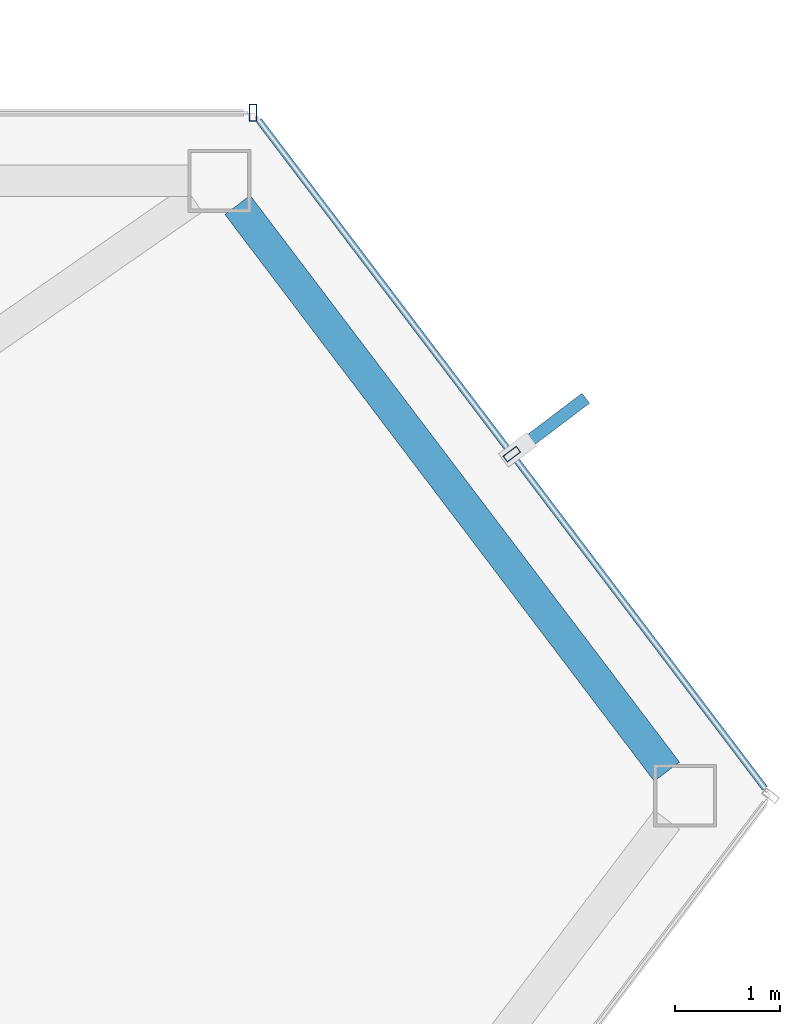
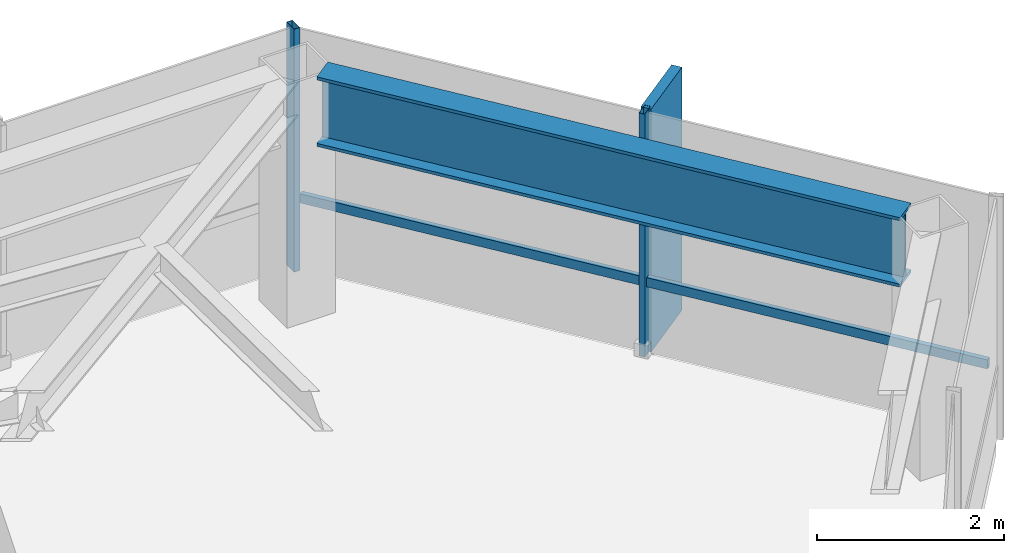
# One storey, part 22 of 27: 4 members, 1 beam, 2 elements without a shape of their own.
"""IFC4 building model written with IfcOpenShell, lengths in metres."""

import ifcopenshell
import ifcopenshell.guid

model = None  # the IFC model being written
_history = None  # IfcOwnerHistory: only IFC2X3 demands one
_inside = {}  # id of a spatial element -> (the spatial element, [elements in it])
_under = {}  # id of a project, library or spatial element -> (it, [spatial elements below it])
_declared = {}  # id of a project -> (the project, [libraries it declares])
_typed = {}  # id of a type object -> (the type object, [elements of that type])
_made_of = {}  # id of a material, layer set ... -> (it, [elements and type objects made of it])


def new_model(schema):
    """Start an empty IFC model of exactly this schema.

    Asked for "IFC4X3", IfcOpenShell would pick the latest addendum, in which some entities
    have other attributes; the version numbers below select the first issue.
    IFC2X3 requires an IfcOwnerHistory on every rooted entity: one is made here for all.
    """
    global model, _history
    if schema == "IFC4X3":
        model = ifcopenshell.file(schema_version=(4, 3, 0, 0))
    else:
        model = ifcopenshell.file(schema=schema)
    _inside.clear()
    _under.clear()
    _declared.clear()
    _typed.clear()
    _made_of.clear()
    _history = None
    if model.schema == "IFC2X3":
        org = make("IfcOrganization", Name="unknown")
        user = make(
            "IfcPersonAndOrganization",
            ThePerson=make("IfcPerson", FamilyName="unknown"),
            TheOrganization=org,
        )
        app = make(
            "IfcApplication",
            ApplicationDeveloper=org,
            Version="unknown",
            ApplicationFullName="unknown",
            ApplicationIdentifier="unknown",
        )
        _history = make(
            "IfcOwnerHistory",
            OwningUser=user,
            OwningApplication=app,
            ChangeAction="ADDED",
            CreationDate=0,
        )
    return model


def make(cls, **values):
    """One entity of the class cls with the attributes given. An attribute that is None is left unset."""
    return model.create_entity(
        cls, **{name: value for name, value in values.items() if value is not None}
    )


def rooted(cls, **values):
    """An entity with a GlobalId (a new one), such as an element, a storey or a relation."""
    return make(cls, GlobalId=ifcopenshell.guid.new(), OwnerHistory=_history, **values)


def si_unit(unit_type, name, prefix=None):
    """IfcSIUnit, for example si_unit("LENGTHUNIT", "METRE", prefix="MILLI")."""
    return make("IfcSIUnit", UnitType=unit_type, Prefix=prefix, Name=name)


def assignment(units):
    """IfcUnitAssignment: the units of a project."""
    return None if units is None else make("IfcUnitAssignment", Units=units)


def point(xyz):
    """IfcCartesianPoint."""
    return None if xyz is None else make("IfcCartesianPoint", Coordinates=xyz)


def direction(xyz):
    """IfcDirection."""
    return None if xyz is None else make("IfcDirection", DirectionRatios=xyz)


def frame(location, z_axis=None, x_axis=None):
    """IfcAxis2Placement3D, a coordinate frame: its origin and axes. An axis left out is left unset."""
    return make(
        "IfcAxis2Placement3D",
        Location=point(location),
        Axis=direction(z_axis),
        RefDirection=direction(x_axis),
    )


def frame_2d(location, x_axis=None):
    """IfcAxis2Placement2D, a coordinate frame in the plane: its origin and x axis."""
    return make(
        "IfcAxis2Placement2D", Location=point(location), RefDirection=direction(x_axis)
    )


def origin():
    """The frame at (0, 0, 0) with its axes left unset."""
    return frame((0.0, 0.0, 0.0))


def origin_2d():
    """The frame at (0, 0) in the plane with its x axis left unset."""
    return frame_2d((0.0, 0.0))


def place(relative_to, where):
    """IfcLocalPlacement: puts the frame where relative to a parent placement (None: the world)."""
    return make(
        "IfcLocalPlacement", PlacementRelTo=relative_to, RelativePlacement=where
    )


def context(
    kind, dimensions, precision=None, world=None, true_north=None, identifier=None
):
    """IfcGeometricRepresentationContext, for example the 3D "Model" context."""
    return make(
        "IfcGeometricRepresentationContext",
        ContextIdentifier=identifier,
        ContextType=kind,
        CoordinateSpaceDimension=dimensions,
        Precision=precision,
        WorldCoordinateSystem=world,
        TrueNorth=true_north,
    )


def subcontext(parent, identifier, kind, view, scale=None):
    """IfcGeometricRepresentationSubContext, for example "Body" below "Model"."""
    return make(
        "IfcGeometricRepresentationSubContext",
        ContextIdentifier=identifier,
        ContextType=kind,
        ParentContext=parent,
        TargetScale=scale,
        TargetView=view,
    )


def project(units=None, contexts=None):
    """IfcProject with its units and contexts."""
    return rooted(
        "IfcProject",
        Name="project",
        RepresentationContexts=contexts,
        UnitsInContext=assignment(units),
    )


def spatial(cls, under=None, at=None, **own):
    """A site, building, storey or space (cls), placed at a placement, below another one or the project."""
    s = rooted(cls, ObjectPlacement=at, **own)
    if under is not None:
        _under.setdefault(under.id(), (under, []))[1].append(s)
    return s


def profile(cls, at=None, kind="AREA", **sizes):
    """A parametric profile (cls). Its sizes go by their IFC names, for example OverallWidth=200.0."""
    return make(cls, ProfileType=kind, Position=at, **sizes)


def rectangle(**sizes):
    """IfcRectangleProfileDef."""
    return profile("IfcRectangleProfileDef", **sizes)


def hollow_rectangle(**sizes):
    """IfcRectangleHollowProfileDef."""
    return profile("IfcRectangleHollowProfileDef", **sizes)


def i_section(**sizes):
    """IfcIShapeProfileDef."""
    return profile("IfcIShapeProfileDef", **sizes)


def extrude(swept, where, along, depth):
    """IfcExtrudedAreaSolid: the profile swept, set in the frame where, extruded along a direction by depth."""
    return make(
        "IfcExtrudedAreaSolid",
        SweptArea=swept,
        Position=where,
        ExtrudedDirection=direction(along),
        Depth=depth,
    )


def shape(context_of_items, identifier, shape_type, items):
    """IfcShapeRepresentation: the items that make up one representation, for example the "Body"."""
    return make(
        "IfcShapeRepresentation",
        ContextOfItems=context_of_items,
        RepresentationIdentifier=identifier,
        RepresentationType=shape_type,
        Items=items,
    )


def material(Name=None, Category=None):
    """IfcMaterial."""
    return make("IfcMaterial", Name=Name, Category=Category)


def layer(
    of_material, thickness, ventilated=None, Name=None, Category=None, Priority=None
):
    """IfcMaterialLayer: one layer of a wall or slab, of a material (None: an air gap)."""
    return make(
        "IfcMaterialLayer",
        Material=of_material,
        LayerThickness=thickness,
        IsVentilated=ventilated,
        Name=Name,
        Category=Category,
        Priority=Priority,
    )


def layer_set(layers, Name=None):
    """IfcMaterialLayerSet."""
    return make("IfcMaterialLayerSet", MaterialLayers=layers, LayerSetName=Name)


def material_profile(
    of_material, cross_section, Name=None, Category=None, Priority=None
):
    """IfcMaterialProfile: a cross section and its material."""
    return make(
        "IfcMaterialProfile",
        Name=Name,
        Material=of_material,
        Profile=cross_section,
        Priority=Priority,
        Category=Category,
    )


def profile_set(profiles, Name=None, composite=None):
    """IfcMaterialProfileSet."""
    return make(
        "IfcMaterialProfileSet",
        Name=Name,
        MaterialProfiles=profiles,
        CompositeProfile=composite,
    )


def made_of(thing, what):
    """Note that an element or type object is made of a material, layer set ...; save() writes the relation."""
    if what is not None:
        _made_of.setdefault(what.id(), (what, []))[1].append(thing)
    return thing


def type_object(cls, material=None, **own):
    """A type object (cls), such as IfcWallType, which elements share."""
    return made_of(rooted(cls, **own), material)


def element(
    cls,
    number,
    at=None,
    inside=None,
    cuts=None,
    type_object=None,
    material=None,
    context=None,
    identifier="Body",
    shape_type=None,
    held_by="IfcProductDefinitionShape",
    body=None,
    shapes=None,
    **own,
):
    """One element of the class cls, such as IfcWall. Its Tag is "e" and its number.

    at: its placement. inside: the storey or other place that contains it. cuts: it is an
    opening in that element (IfcRelVoidsElement). A single representation is given by context,
    identifier, shape_type and body (its items); several are given by shapes. held_by: the class
    of the entity that holds the representations. save() writes the other relations.
    """
    e = rooted(cls, Tag="e%d" % number, ObjectPlacement=at, **own)
    if body is not None:
        shapes = [shape(context, identifier, shape_type, body)]
    if shapes is not None:
        e.Representation = make(held_by, Representations=shapes)
    if inside is not None:
        _inside.setdefault(inside.id(), (inside, []))[1].append(e)
    if cuts is not None:
        rooted(
            "IfcRelVoidsElement", RelatingBuildingElement=cuts, RelatedOpeningElement=e
        )
    if type_object is not None:
        _typed.setdefault(type_object.id(), (type_object, []))[1].append(e)
    return made_of(e, material)


def aggregate(whole, parts):
    """IfcRelAggregates: a whole, such as a stair, and the parts it consists of."""
    return rooted("IfcRelAggregates", RelatingObject=whole, RelatedObjects=parts)


def save(model, path):
    """Write the relations noted so far, then the file.

    IfcRelAggregates (storeys below a building ...), IfcRelContainedInSpatialStructure (elements
    in a storey), IfcRelDefinesByType, IfcRelAssociatesMaterial and IfcRelDeclares: one each for
    every whole, place, type object, material and project.
    """
    for whole, parts in _under.values():
        aggregate(whole, parts)
    for where, things in _inside.values():
        rooted(
            "IfcRelContainedInSpatialStructure",
            RelatedElements=things,
            RelatingStructure=where,
        )
    for kind, things in _typed.values():
        rooted("IfcRelDefinesByType", RelatedObjects=things, RelatingType=kind)
    for what, things in _made_of.values():
        rooted("IfcRelAssociatesMaterial", RelatedObjects=things, RelatingMaterial=what)
    for by, libraries in _declared.values():
        rooted("IfcRelDeclares", RelatingContext=by, RelatedDefinitions=libraries)
    model.write(path)


model = new_model("IFC4")

# Units and contexts
model_context = context("Model", 3, precision=1e-05, world=origin(), true_north=direction((0.0, 1.0)))
body_context = subcontext(model_context, "Body", "Model", "MODEL_VIEW")
ifc_project = project(units=[si_unit("LENGTHUNIT", "METRE"), si_unit("AREAUNIT", "SQUARE_METRE"), si_unit("VOLUMEUNIT", "CUBIC_METRE"), si_unit("PLANEANGLEUNIT", "RADIAN"), si_unit("MASSUNIT", "GRAM", prefix="KILO")], contexts=[model_context])

# Site, building, storey
site_placement = place(None, origin())
site = spatial("IfcSite", under=ifc_project, at=site_placement, CompositionType="ELEMENT")
building_placement = place(site_placement, origin())
building = spatial("IfcBuilding", under=site, at=building_placement, Name="Zarrinselat Tower", CompositionType="ELEMENT")
storey_placement = place(building_placement, frame((0.0, 0.0, 232.56005859375)))
storey = spatial("IfcBuildingStorey", under=building, at=storey_placement, Name="L58", CompositionType="ELEMENT", Elevation=232.56005859375)

# Beam
ifc_material_1 = material(Name="Steel S460M", Category="steel")
ifc_material_profile_1 = material_profile(ifc_material_1, i_section(OverallWidth=0.302001953125, OverallDepth=0.909912109375, WebThickness=0.02099609375, FlangeThickness=0.0400390625, at=origin_2d()), Name="HEM 900")
ifc_profile_set_1 = profile_set([ifc_material_profile_1], Name="Steel S460M")
beam_type = type_object("IfcBeamType", Name="BM-HEM900", PredefinedType="BEAM", material=ifc_profile_set_1)
beam_placement = place(storey_placement, frame((56.76611328125, 47.298095703125, 2.724853515625), z_axis=(0.60386808103, -0.797084274537, 0.0), x_axis=(0.797084274537, 0.60386808103, 0.0)))
element("IfcBeam", 1, at=beam_placement, inside=storey, type_object=beam_type, Name="L58 Perimeter Spandrel Girder SP15", PredefinedType="BEAM", context=body_context, shape_type="SweptSolid", body=[
    extrude(i_section(OverallWidth=0.302001953125, OverallDepth=0.909912109375, WebThickness=0.02099609375, FlangeThickness=0.0400390625, at=origin_2d()), origin(), (0.0, 0.0, 1.0), 6.7841796875),
])

# Curtain wall, member
ifc_material_2 = material(Name="Extruded Aluminium Alloy EN AW-6063 T6", Category="aluminium")
ifc_layer = layer(ifc_material_2, 0.169921875)
ifc_layer_set = layer_set([ifc_layer], Name="Extruded Aluminium Alloy EN AW-6063 T6")
curtain_wall_type = type_object("IfcCurtainWallType", Name="CWS-RES", PredefinedType="NOTDEFINED", material=ifc_layer_set)
curtain_wall_1_placement = place(storey_placement, origin())
curtain_wall_1 = element("IfcCurtainWall", 2, at=curtain_wall_1_placement, inside=storey, type_object=curtain_wall_type, Name="L58 Unitised Curtain Wall CW-L58-E01", PredefinedType="NOTDEFINED")
ifc_material_3 = material(Name="Extruded Aluminium Alloy EN AW-6063 T6", Category="aluminium")
ifc_material_profile_2 = material_profile(ifc_material_3, hollow_rectangle(XDim=0.070068359375, YDim=0.159912109375, WallThickness=0.00390625, at=origin_2d()), Name="RHS 160x70x4")
ifc_profile_set_2 = profile_set([ifc_material_profile_2], Name="Extruded Aluminium Alloy EN AW-6063 T6")
member_type_1 = type_object("IfcMemberType", Name="MEM-CW-MUL2", PredefinedType="MULLION", material=ifc_profile_set_2)
member_1_placement = place(storey_placement, frame((56.915283203125, 48.177734375, 0.0), z_axis=(0.0, 0.0, 1.0), x_axis=(-1.0, 0.0, 0.0)))
member_1 = element("IfcMember", 3, at=member_1_placement, type_object=member_type_1, Name="CW-L58-E01 Mullion 0", PredefinedType="MULLION", context=body_context, shape_type="SweptSolid", body=[
    extrude(hollow_rectangle(XDim=0.070068359375, YDim=0.159912109375, WallThickness=0.00390625, at=origin_2d()), origin(), (0.0, 0.0, 1.0), 3.179931640625),
])
aggregate(curtain_wall_1, [member_1])

# Curtain wall, members
curtain_wall_2_placement = place(storey_placement, origin())
curtain_wall_2 = element("IfcCurtainWall", 4, at=curtain_wall_2_placement, inside=storey, type_object=curtain_wall_type, Name="L58 Unitised Curtain Wall CW-L58-E06", PredefinedType="NOTDEFINED")
member_2_placement = place(storey_placement, frame((59.3837890625, 44.91943359375, 0.0), z_axis=(0.0, 0.0, 1.0), x_axis=(-0.603858158982, 0.797091791346, 0.0)))
member_2 = element("IfcMember", 5, at=member_2_placement, type_object=member_type_1, Name="CW-L58-E06 Mullion 1", PredefinedType="MULLION", context=body_context, shape_type="SweptSolid", body=[
    extrude(hollow_rectangle(XDim=0.070068359375, YDim=0.159912109375, WallThickness=0.00390625, at=origin_2d()), origin(), (0.0, 0.0, 1.0), 3.179931640625),
])
ifc_material_4 = material(Name="Extruded Aluminium Alloy EN AW-6063 T6", Category="aluminium")
ifc_material_profile_3 = material_profile(ifc_material_4, hollow_rectangle(XDim=0.06005859375, YDim=0.1201171875, WallThickness=0.00390625, at=origin_2d()), Name="RHS 120x60x4")
ifc_profile_set_3 = profile_set([ifc_material_profile_3], Name="Extruded Aluminium Alloy EN AW-6063 T6")
member_type_2 = type_object("IfcMemberType", Name="MEM-CW-TRN2", PredefinedType="USERDEFINED", material=ifc_profile_set_3)
member_3_placement = place(storey_placement, frame((61.7978515625, 41.73291015625, 0.949951171875), z_axis=(-0.603867093934, 0.797085022356, 0.0), x_axis=(-0.797085022356, -0.603867093934, 0.0)))
member_3 = element("IfcMember", 6, at=member_3_placement, type_object=member_type_2, Name="CW-L58-E06 Transom 1", ObjectType="TRANSOM", PredefinedType="USERDEFINED", context=body_context, shape_type="SweptSolid", body=[
    extrude(hollow_rectangle(XDim=0.06005859375, YDim=0.1201171875, WallThickness=0.00390625, at=origin_2d()), origin(), (0.0, 0.0, 1.0), 7.995849609375),
])
ifc_material_5 = material(Name="Honed Cream Travertine Stone", Category="masonry")
ifc_material_profile_4 = material_profile(ifc_material_5, rectangle(XDim=0.1201171875, YDim=0.85009765625, at=origin_2d()), Name="FIN 850x120")
ifc_profile_set_4 = profile_set([ifc_material_profile_4], Name="Honed Cream Travertine Stone")
member_type_3 = type_object("IfcMemberType", Name="MEM-STONE-FIN", PredefinedType="USERDEFINED", material=ifc_profile_set_4)
member_4_placement = place(storey_placement, frame((59.75048828125, 45.197265625, 0.0), z_axis=(0.0, 0.0, 1.0), x_axis=(0.603858158982, -0.797091791346, 0.0)))
member_4 = element("IfcMember", 7, at=member_4_placement, type_object=member_type_3, Name="L58 Stone Shading Fin CW-L58-E06-01", ObjectType="FIN", PredefinedType="USERDEFINED", context=body_context, shape_type="SweptSolid", body=[
    extrude(rectangle(XDim=0.1201171875, YDim=0.85009765625, at=origin_2d()), origin(), (0.0, 0.0, 1.0), 3.179931640625),
])
aggregate(curtain_wall_2, [member_2, member_4, member_3])

save(model, "model.ifc")
